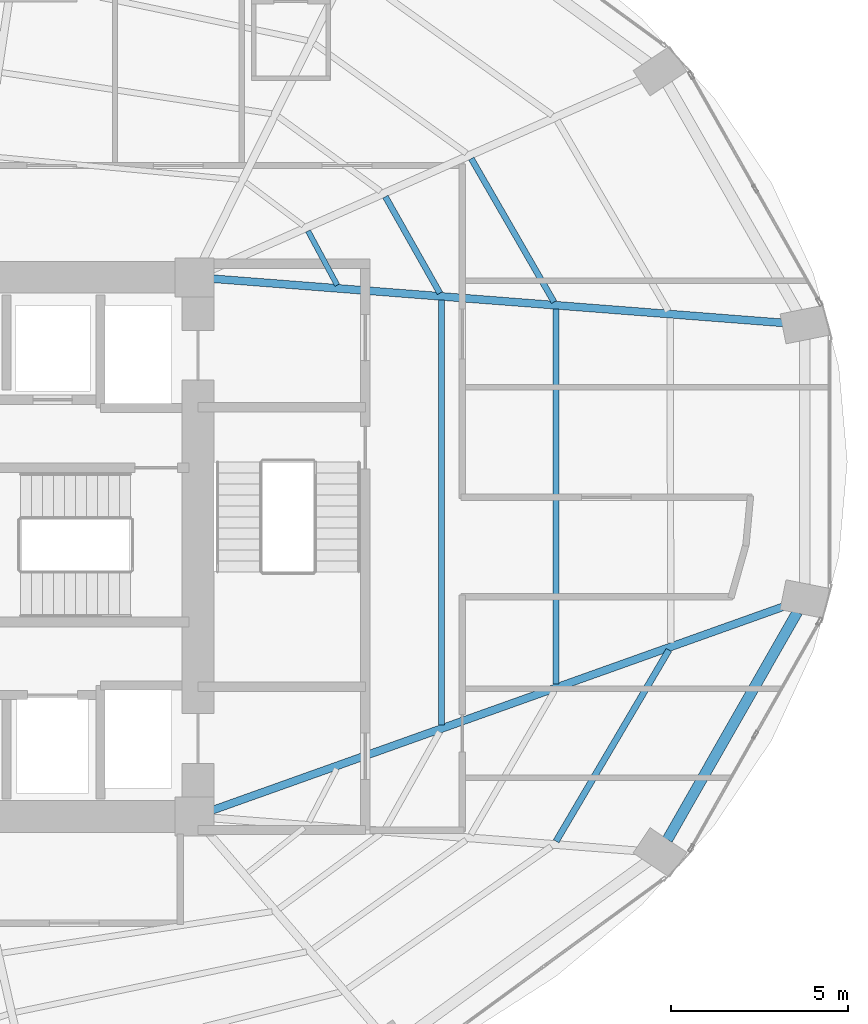
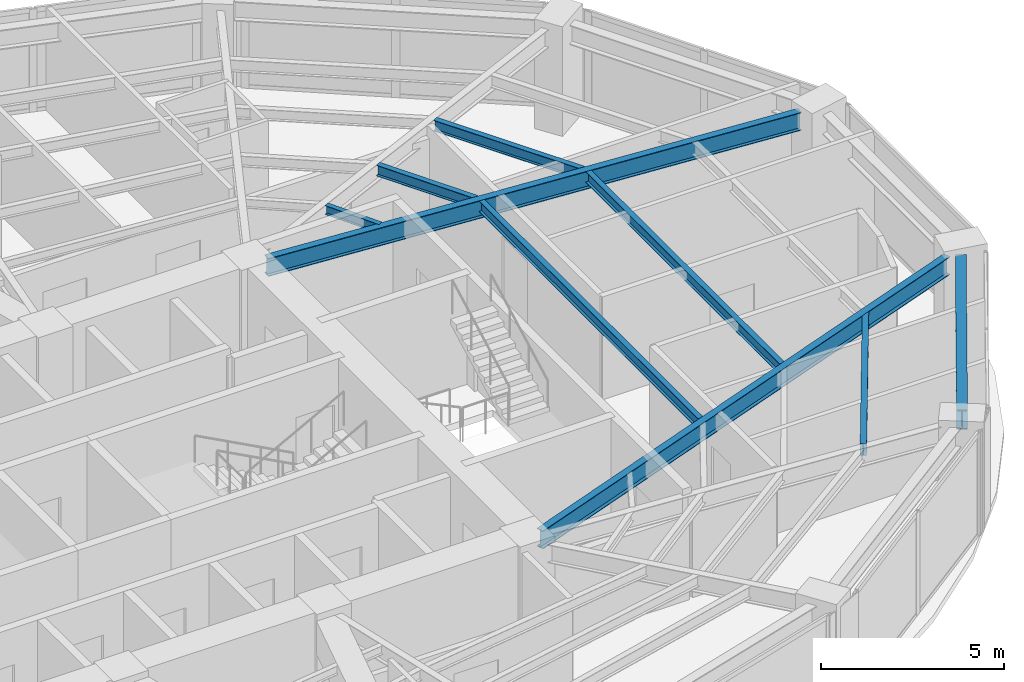
# One storey, part 12 of 25: 9 beams.
"""IFC4 building model written with IfcOpenShell, lengths in metres."""

from ifc_helpers import new_model, si_unit, direction, frame, origin, origin_2d, place, context, subcontext, project, spatial, i_section, extrude, material, material_profile, profile_set, type_object, element, save


model = new_model("IFC4")

# Units and contexts
model_context = context("Model", 3, precision=1e-05, world=origin(), true_north=direction((0.0, 1.0)))
body_context = subcontext(model_context, "Body", "Model", "MODEL_VIEW")
ifc_project = project(units=[si_unit("LENGTHUNIT", "METRE"), si_unit("AREAUNIT", "SQUARE_METRE"), si_unit("VOLUMEUNIT", "CUBIC_METRE"), si_unit("PLANEANGLEUNIT", "RADIAN"), si_unit("MASSUNIT", "GRAM", prefix="KILO")], contexts=[model_context])

# Site, building, storey
site_placement = place(None, origin())
site = spatial("IfcSite", under=ifc_project, at=site_placement, CompositionType="ELEMENT")
building_placement = place(site_placement, origin())
building = spatial("IfcBuilding", under=site, at=building_placement, Name="Lazwardi Medical Tower", CompositionType="ELEMENT")
storey_placement = place(building_placement, frame((0.0, 0.0, 47.087890625)))
storey = spatial("IfcBuildingStorey", under=building, at=storey_placement, Name="L11", CompositionType="ELEMENT", Elevation=47.087890625)

# Beams
ifc_material = material(Name="Steel S355", Category="steel")
ifc_material_profile_1 = material_profile(ifc_material, i_section(OverallWidth=0.300048828125, OverallDepth=0.64990234375, WebThickness=0.01611328125, FlangeThickness=0.031005859375, at=origin_2d()), Name="HEB 650")
ifc_profile_set_1 = profile_set([ifc_material_profile_1], Name="Steel S355")
beam_type_1 = type_object("IfcBeamType", Name="BM-RB-Z1", PredefinedType="BEAM", material=ifc_profile_set_1)
beam_1_placement = place(storey_placement, frame((58.927978515625, 19.75048828125, 3.10302734375), z_axis=(0.495829348644, 0.868419977328, 0.0), x_axis=(-0.868419977328, 0.495829348644, 0.0)))
element("IfcBeam", 1, at=beam_1_placement, inside=storey, type_object=beam_type_1, Name="Ring beam RB-02 B03 L11", PredefinedType="BEAM", context=body_context, shape_type="SweptSolid", body=[
    extrude(i_section(OverallWidth=0.300048828125, OverallDepth=0.64990234375, WebThickness=0.01611328125, FlangeThickness=0.031005859375, at=origin_2d()), origin(), (0.0, 0.0, 1.0), 7.38916015625),
])
ifc_material_profile_2 = material_profile(ifc_material, i_section(OverallWidth=0.219970703125, OverallDepth=0.60009765625, WebThickness=0.011962890625, FlangeThickness=0.01904296875, at=origin_2d()), Name="IPE 600")
ifc_profile_set_2 = profile_set([ifc_material_profile_2], Name="Steel S355")
beam_type_2 = type_object("IfcBeamType", Name="BM-RG-W1", PredefinedType="BEAM", material=ifc_profile_set_2)
beam_2_placement = place(storey_placement, frame((62.253662109375, 26.33740234375, 3.128173828125), z_axis=(-0.941925080425, -0.335823082688, 0.0), x_axis=(0.335823082688, -0.941925080425, 0.0)))
element("IfcBeam", 2, at=beam_2_placement, inside=storey, type_object=beam_type_2, Name="Radial girder RG-02 R04 L11", PredefinedType="BEAM", context=body_context, shape_type="SweptSolid", body=[
    extrude(i_section(OverallWidth=0.219970703125, OverallDepth=0.60009765625, WebThickness=0.011962890625, FlangeThickness=0.01904296875, at=origin_2d()), origin(), (0.0, 0.0, 1.0), 17.145263671875),
])
beam_3_placement = place(storey_placement, frame((62.2216796875, 34.3125, 3.128173828125), z_axis=(-0.997013942066, 0.077221754231, 0.0), x_axis=(-0.077221754231, -0.997013942066, 0.0)))
element("IfcBeam", 3, at=beam_3_placement, inside=storey, type_object=beam_type_2, Name="Radial girder RG-02 R05 L11", PredefinedType="BEAM", context=body_context, shape_type="SweptSolid", body=[
    extrude(i_section(OverallWidth=0.219970703125, OverallDepth=0.60009765625, WebThickness=0.011962890625, FlangeThickness=0.01904296875, at=origin_2d()), origin(), (0.0, 0.0, 1.0), 16.136474609375),
])
ifc_material_profile_3 = material_profile(ifc_material, i_section(OverallWidth=0.179931640625, OverallDepth=0.39990234375, WebThickness=0.008544921875, FlangeThickness=0.013427734375, at=origin_2d()), Name="IPE 400")
ifc_profile_set_3 = profile_set([ifc_material_profile_3], Name="Steel S355")
beam_type_3 = type_object("IfcBeamType", Name="BM-SJ-01", PredefinedType="JOIST", material=ifc_profile_set_3)
beam_4_placement = place(storey_placement, frame((55.793212890625, 19.70654296875, 3.22802734375), z_axis=(0.507886270937, 0.861424132349, 0.0), x_axis=(-0.861424132349, 0.507886270937, 0.0)))
element("IfcBeam", 4, at=beam_4_placement, inside=storey, type_object=beam_type_3, Name="Secondary joist SJ-01 R1 B03 L11", PredefinedType="JOIST", context=body_context, shape_type="SweptSolid", body=[
    extrude(i_section(OverallWidth=0.179931640625, OverallDepth=0.39990234375, WebThickness=0.008544921875, FlangeThickness=0.013427734375, at=origin_2d()), origin(), (0.0, 0.0, 1.0), 6.255859375),
])
ifc_material_profile_4 = material_profile(ifc_material, i_section(OverallWidth=0.169921875, OverallDepth=0.360107421875, WebThickness=0.008056640625, FlangeThickness=0.0126953125, at=origin_2d()), Name="IPE 360")
ifc_profile_set_4 = profile_set([ifc_material_profile_4], Name="Steel S355")
beam_type_4 = type_object("IfcBeamType", Name="BM-SJ-02", PredefinedType="JOIST", material=ifc_profile_set_4)
beam_5_placement = place(storey_placement, frame((55.793701171875, 24.139404296875, 3.248046875), z_axis=(-0.000670039821, 0.999999775523, 0.0), x_axis=(-0.999999775523, -0.000670039821, 0.0)))
element("IfcBeam", 5, at=beam_5_placement, inside=storey, type_object=beam_type_4, Name="Secondary joist SJ-02 R2 B04 L11", PredefinedType="JOIST", context=body_context, shape_type="SweptSolid", body=[
    extrude(i_section(OverallWidth=0.169921875, OverallDepth=0.360107421875, WebThickness=0.008056640625, FlangeThickness=0.0126953125, at=origin_2d()), origin(), (0.0, 0.0, 1.0), 10.566650390625),
])
beam_6_placement = place(storey_placement, frame((55.73388671875, 34.90185546875, 3.248046875), z_axis=(-0.499785866494, 0.866148998529, 0.0), x_axis=(-0.866148998529, -0.499785866494, 0.0)))
element("IfcBeam", 6, at=beam_6_placement, inside=storey, type_object=beam_type_4, Name="Secondary joist SJ-02 R2 B05 L11", PredefinedType="JOIST", context=body_context, shape_type="SweptSolid", body=[
    extrude(i_section(OverallWidth=0.169921875, OverallDepth=0.360107421875, WebThickness=0.008056640625, FlangeThickness=0.0126953125, at=origin_2d()), origin(), (0.0, 0.0, 1.0), 4.666015625),
])
beam_7_placement = place(storey_placement, frame((52.56396484375, 22.98779296875, 3.248046875), z_axis=(0.000387612685, 0.999999924878, 0.0), x_axis=(-0.999999924878, 0.000387612685, 0.0)))
element("IfcBeam", 7, at=beam_7_placement, inside=storey, type_object=beam_type_4, Name="Secondary joist SJ-02 R3 B04 L11", PredefinedType="JOIST", context=body_context, shape_type="SweptSolid", body=[
    extrude(i_section(OverallWidth=0.169921875, OverallDepth=0.360107421875, WebThickness=0.008056640625, FlangeThickness=0.0126953125, at=origin_2d()), origin(), (0.0, 0.0, 1.0), 11.96728515625),
])
beam_8_placement = place(storey_placement, frame((52.51708984375, 35.151611328125, 3.248046875), z_axis=(-0.491923287977, 0.870638546554, 0.0), x_axis=(-0.870638546554, -0.491923287977, 0.0)))
element("IfcBeam", 8, at=beam_8_placement, inside=storey, type_object=beam_type_4, Name="Secondary joist SJ-02 R3 B05 L11", PredefinedType="JOIST", context=body_context, shape_type="SweptSolid", body=[
    extrude(i_section(OverallWidth=0.169921875, OverallDepth=0.360107421875, WebThickness=0.008056640625, FlangeThickness=0.0126953125, at=origin_2d()), origin(), (0.0, 0.0, 1.0), 3.122802734375),
])
ifc_material_profile_5 = material_profile(ifc_material, i_section(OverallWidth=0.14990234375, OverallDepth=0.300048828125, WebThickness=0.007080078125, FlangeThickness=0.0107421875, at=origin_2d()), Name="IPE 300")
ifc_profile_set_5 = profile_set([ifc_material_profile_5], Name="Steel S355")
beam_type_5 = type_object("IfcBeamType", Name="BM-SJ-03", PredefinedType="JOIST", material=ifc_profile_set_5)
beam_9_placement = place(storey_placement, frame((49.623046875, 35.376953125, 3.278076171875), z_axis=(-0.473982292828, 0.880534375301, 0.0), x_axis=(-0.880534375301, -0.473982292828, 0.0)))
element("IfcBeam", 9, at=beam_9_placement, inside=storey, type_object=beam_type_5, Name="Secondary joist SJ-03 R4 B05 L11", PredefinedType="JOIST", context=body_context, shape_type="SweptSolid", body=[
    extrude(i_section(OverallWidth=0.14990234375, OverallDepth=0.300048828125, WebThickness=0.007080078125, FlangeThickness=0.0107421875, at=origin_2d()), origin(), (0.0, 0.0, 1.0), 1.734375),
])

save(model, "model.ifc")
